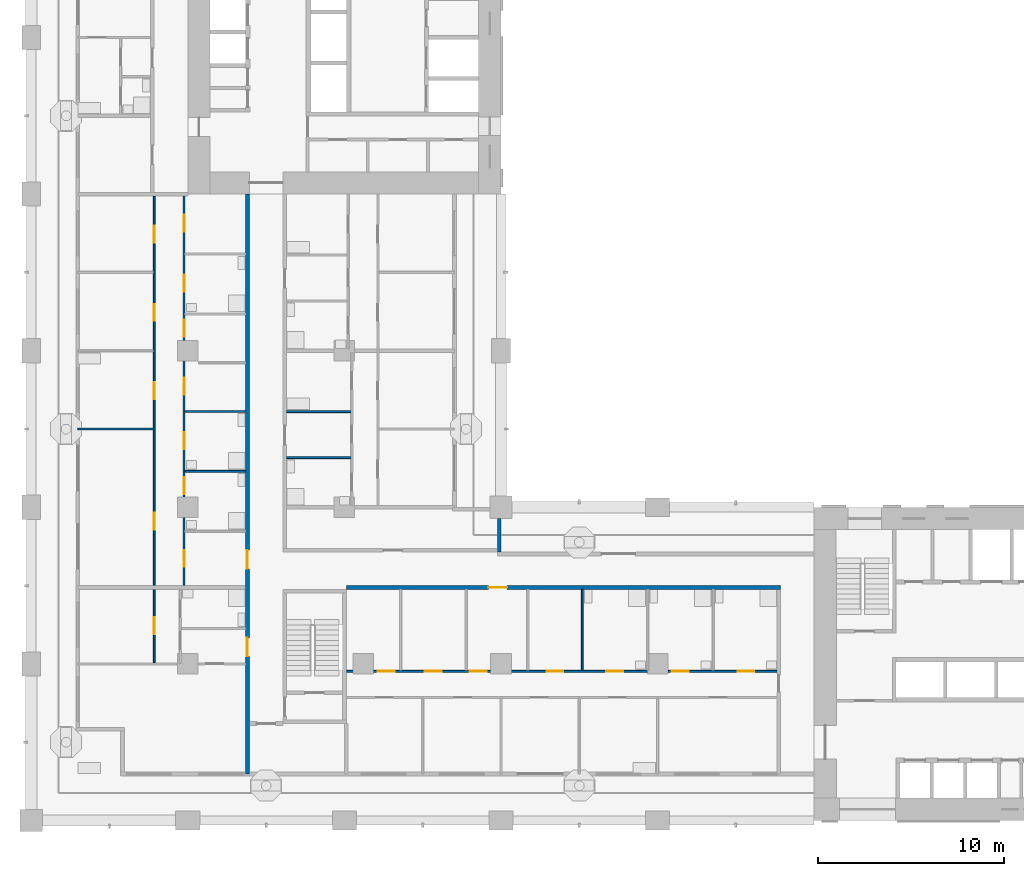
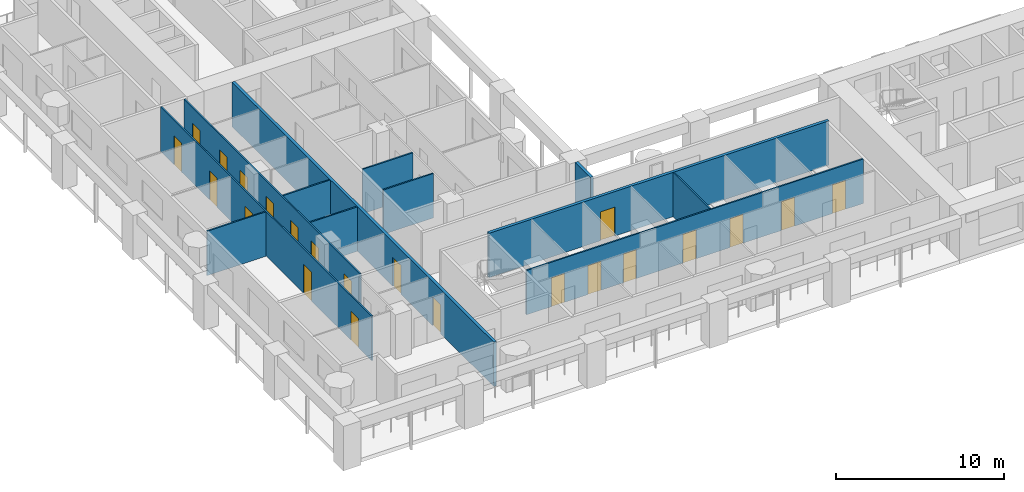
# One storey, part 3 of 19: 22 doors, 12 walls, 22 openings.
"""IFC4 building model written with IfcOpenShell, lengths in metres."""

import ifcopenshell
import ifcopenshell.guid

model = None  # the IFC model being written
_history = None  # IfcOwnerHistory: only IFC2X3 demands one
_inside = {}  # id of a spatial element -> (the spatial element, [elements in it])
_under = {}  # id of a project, library or spatial element -> (it, [spatial elements below it])
_declared = {}  # id of a project -> (the project, [libraries it declares])
_typed = {}  # id of a type object -> (the type object, [elements of that type])
_made_of = {}  # id of a material, layer set ... -> (it, [elements and type objects made of it])


def new_model(schema):
    """Start an empty IFC model of exactly this schema.

    Asked for "IFC4X3", IfcOpenShell would pick the latest addendum, in which some entities
    have other attributes; the version numbers below select the first issue.
    IFC2X3 requires an IfcOwnerHistory on every rooted entity: one is made here for all.
    """
    global model, _history
    if schema == "IFC4X3":
        model = ifcopenshell.file(schema_version=(4, 3, 0, 0))
    else:
        model = ifcopenshell.file(schema=schema)
    _inside.clear()
    _under.clear()
    _declared.clear()
    _typed.clear()
    _made_of.clear()
    _history = None
    if model.schema == "IFC2X3":
        org = make("IfcOrganization", Name="unknown")
        user = make(
            "IfcPersonAndOrganization",
            ThePerson=make("IfcPerson", FamilyName="unknown"),
            TheOrganization=org,
        )
        app = make(
            "IfcApplication",
            ApplicationDeveloper=org,
            Version="unknown",
            ApplicationFullName="unknown",
            ApplicationIdentifier="unknown",
        )
        _history = make(
            "IfcOwnerHistory",
            OwningUser=user,
            OwningApplication=app,
            ChangeAction="ADDED",
            CreationDate=0,
        )
    return model


def make(cls, **values):
    """One entity of the class cls with the attributes given. An attribute that is None is left unset."""
    return model.create_entity(
        cls, **{name: value for name, value in values.items() if value is not None}
    )


def rooted(cls, **values):
    """An entity with a GlobalId (a new one), such as an element, a storey or a relation."""
    return make(cls, GlobalId=ifcopenshell.guid.new(), OwnerHistory=_history, **values)


def si_unit(unit_type, name, prefix=None):
    """IfcSIUnit, for example si_unit("LENGTHUNIT", "METRE", prefix="MILLI")."""
    return make("IfcSIUnit", UnitType=unit_type, Prefix=prefix, Name=name)


def assignment(units):
    """IfcUnitAssignment: the units of a project."""
    return None if units is None else make("IfcUnitAssignment", Units=units)


def point(xyz):
    """IfcCartesianPoint."""
    return None if xyz is None else make("IfcCartesianPoint", Coordinates=xyz)


def direction(xyz):
    """IfcDirection."""
    return None if xyz is None else make("IfcDirection", DirectionRatios=xyz)


def frame(location, z_axis=None, x_axis=None):
    """IfcAxis2Placement3D, a coordinate frame: its origin and axes. An axis left out is left unset."""
    return make(
        "IfcAxis2Placement3D",
        Location=point(location),
        Axis=direction(z_axis),
        RefDirection=direction(x_axis),
    )


def frame_2d(location, x_axis=None):
    """IfcAxis2Placement2D, a coordinate frame in the plane: its origin and x axis."""
    return make(
        "IfcAxis2Placement2D", Location=point(location), RefDirection=direction(x_axis)
    )


def origin():
    """The frame at (0, 0, 0) with its axes left unset."""
    return frame((0.0, 0.0, 0.0))


def place(relative_to, where):
    """IfcLocalPlacement: puts the frame where relative to a parent placement (None: the world)."""
    return make(
        "IfcLocalPlacement", PlacementRelTo=relative_to, RelativePlacement=where
    )


def context(
    kind, dimensions, precision=None, world=None, true_north=None, identifier=None
):
    """IfcGeometricRepresentationContext, for example the 3D "Model" context."""
    return make(
        "IfcGeometricRepresentationContext",
        ContextIdentifier=identifier,
        ContextType=kind,
        CoordinateSpaceDimension=dimensions,
        Precision=precision,
        WorldCoordinateSystem=world,
        TrueNorth=true_north,
    )


def subcontext(parent, identifier, kind, view, scale=None):
    """IfcGeometricRepresentationSubContext, for example "Body" below "Model"."""
    return make(
        "IfcGeometricRepresentationSubContext",
        ContextIdentifier=identifier,
        ContextType=kind,
        ParentContext=parent,
        TargetScale=scale,
        TargetView=view,
    )


def project(units=None, contexts=None):
    """IfcProject with its units and contexts."""
    return rooted(
        "IfcProject",
        Name="project",
        RepresentationContexts=contexts,
        UnitsInContext=assignment(units),
    )


def spatial(cls, under=None, at=None, **own):
    """A site, building, storey or space (cls), placed at a placement, below another one or the project."""
    s = rooted(cls, ObjectPlacement=at, **own)
    if under is not None:
        _under.setdefault(under.id(), (under, []))[1].append(s)
    return s


def profile(cls, at=None, kind="AREA", **sizes):
    """A parametric profile (cls). Its sizes go by their IFC names, for example OverallWidth=200.0."""
    return make(cls, ProfileType=kind, Position=at, **sizes)


def rectangle(**sizes):
    """IfcRectangleProfileDef."""
    return profile("IfcRectangleProfileDef", **sizes)


def extrude(swept, where, along, depth):
    """IfcExtrudedAreaSolid: the profile swept, set in the frame where, extruded along a direction by depth."""
    return make(
        "IfcExtrudedAreaSolid",
        SweptArea=swept,
        Position=where,
        ExtrudedDirection=direction(along),
        Depth=depth,
    )


def shape(context_of_items, identifier, shape_type, items):
    """IfcShapeRepresentation: the items that make up one representation, for example the "Body"."""
    return make(
        "IfcShapeRepresentation",
        ContextOfItems=context_of_items,
        RepresentationIdentifier=identifier,
        RepresentationType=shape_type,
        Items=items,
    )


def material(Name=None, Category=None):
    """IfcMaterial."""
    return make("IfcMaterial", Name=Name, Category=Category)


def layer(
    of_material, thickness, ventilated=None, Name=None, Category=None, Priority=None
):
    """IfcMaterialLayer: one layer of a wall or slab, of a material (None: an air gap)."""
    return make(
        "IfcMaterialLayer",
        Material=of_material,
        LayerThickness=thickness,
        IsVentilated=ventilated,
        Name=Name,
        Category=Category,
        Priority=Priority,
    )


def layer_set(layers, Name=None):
    """IfcMaterialLayerSet."""
    return make("IfcMaterialLayerSet", MaterialLayers=layers, LayerSetName=Name)


def made_of(thing, what):
    """Note that an element or type object is made of a material, layer set ...; save() writes the relation."""
    if what is not None:
        _made_of.setdefault(what.id(), (what, []))[1].append(thing)
    return thing


def type_object(cls, material=None, **own):
    """A type object (cls), such as IfcWallType, which elements share."""
    return made_of(rooted(cls, **own), material)


def element(
    cls,
    number,
    at=None,
    inside=None,
    cuts=None,
    type_object=None,
    material=None,
    context=None,
    identifier="Body",
    shape_type=None,
    held_by="IfcProductDefinitionShape",
    body=None,
    shapes=None,
    **own,
):
    """One element of the class cls, such as IfcWall. Its Tag is "e" and its number.

    at: its placement. inside: the storey or other place that contains it. cuts: it is an
    opening in that element (IfcRelVoidsElement). A single representation is given by context,
    identifier, shape_type and body (its items); several are given by shapes. held_by: the class
    of the entity that holds the representations. save() writes the other relations.
    """
    e = rooted(cls, Tag="e%d" % number, ObjectPlacement=at, **own)
    if body is not None:
        shapes = [shape(context, identifier, shape_type, body)]
    if shapes is not None:
        e.Representation = make(held_by, Representations=shapes)
    if inside is not None:
        _inside.setdefault(inside.id(), (inside, []))[1].append(e)
    if cuts is not None:
        rooted(
            "IfcRelVoidsElement", RelatingBuildingElement=cuts, RelatedOpeningElement=e
        )
    if type_object is not None:
        _typed.setdefault(type_object.id(), (type_object, []))[1].append(e)
    return made_of(e, material)


def fill(opening, filler):
    """IfcRelFillsElement: the door or window that sits in an opening."""
    return rooted(
        "IfcRelFillsElement",
        RelatingOpeningElement=opening,
        RelatedBuildingElement=filler,
    )


def aggregate(whole, parts):
    """IfcRelAggregates: a whole, such as a stair, and the parts it consists of."""
    return rooted("IfcRelAggregates", RelatingObject=whole, RelatedObjects=parts)


def save(model, path):
    """Write the relations noted so far, then the file.

    IfcRelAggregates (storeys below a building ...), IfcRelContainedInSpatialStructure (elements
    in a storey), IfcRelDefinesByType, IfcRelAssociatesMaterial and IfcRelDeclares: one each for
    every whole, place, type object, material and project.
    """
    for whole, parts in _under.values():
        aggregate(whole, parts)
    for where, things in _inside.values():
        rooted(
            "IfcRelContainedInSpatialStructure",
            RelatedElements=things,
            RelatingStructure=where,
        )
    for kind, things in _typed.values():
        rooted("IfcRelDefinesByType", RelatedObjects=things, RelatingType=kind)
    for what, things in _made_of.values():
        rooted("IfcRelAssociatesMaterial", RelatedObjects=things, RelatingMaterial=what)
    for by, libraries in _declared.values():
        rooted("IfcRelDeclares", RelatingContext=by, RelatedDefinitions=libraries)
    model.write(path)


model = new_model("IFC4")

# Units and contexts
model_context = context("Model", 3, precision=1e-05, world=origin(), true_north=direction((0.0, 1.0)))
body_context = subcontext(model_context, "Body", "Model", "MODEL_VIEW")
ifc_project = project(units=[si_unit("LENGTHUNIT", "METRE"), si_unit("AREAUNIT", "SQUARE_METRE"), si_unit("VOLUMEUNIT", "CUBIC_METRE"), si_unit("PLANEANGLEUNIT", "RADIAN"), si_unit("MASSUNIT", "GRAM", prefix="KILO")], contexts=[model_context])

# Site, building, storey
site_placement = place(None, origin())
site = spatial("IfcSite", under=ifc_project, at=site_placement, CompositionType="ELEMENT")
building_placement = place(site_placement, origin())
building = spatial("IfcBuilding", under=site, at=building_placement, Name="Vermilion Gate Residences", CompositionType="ELEMENT")
storey_placement = place(building_placement, frame((0.0, 0.0, 119.699951171875)))
storey = spatial("IfcBuildingStorey", under=building, at=storey_placement, Name="L30", CompositionType="ELEMENT", Elevation=119.699951171875)

# Wall
ifc_material_1 = material(Name="Insulated steel stud wall with terracotta rainscreen", Category="masonry")
ifc_layer_1 = layer(ifc_material_1, 0.199951171875)
ifc_layer_set_1 = layer_set([ifc_layer_1], Name="EXTERNAL WALL 200 TERRACOTTA RAINSCREEN")
wall_type_1 = type_object("IfcWallType", Name="EXTERNAL WALL 200 TERRACOTTA RAINSCREEN", PredefinedType="SOLIDWALL", material=ifc_layer_set_1)
wall_1_placement = place(storey_placement, frame((25.10009765625, 22.800048828125, 0.0), z_axis=(0.0, 0.0, 1.0), x_axis=(0.0, 1.0, 0.0)))
element("IfcWall", 1, at=wall_1_placement, inside=storey, type_object=wall_type_1, Name="External wall", PredefinedType="SOLIDWALL", context=body_context, shape_type="SweptSolid", body=[
    extrude(rectangle(XDim=1.800048828125, YDim=0.199951171875, at=frame_2d((0.89990234375, 0.0))), origin(), (0.0, 0.0, 1.0), 3.219970703125),
])

# Wall, openings, doors
ifc_material_2 = material(Name="Plasterboard on steel studs", Category="steel")
ifc_layer_2 = layer(ifc_material_2, 0.10009765625)
ifc_layer_set_2 = layer_set([ifc_layer_2], Name="PARTITION 100")
wall_type_2 = type_object("IfcWallType", Name="PARTITION 100", PredefinedType="PARTITIONING", material=ifc_layer_set_2)
wall_2_placement = place(storey_placement, frame((16.89990234375, 16.39990234375, 0.0), z_axis=(0.0, 0.0, 1.0), x_axis=(1.0, 0.0, 0.0)))
wall_2 = element("IfcWall", 2, at=wall_2_placement, inside=storey, type_object=wall_type_2, Name="Partition", PredefinedType="PARTITIONING", context=body_context, shape_type="SweptSolid", body=[
    extrude(rectangle(XDim=23.10009765625, YDim=0.10009765625, at=frame_2d((11.550048828125, 0.0))), origin(), (0.0, 0.0, 1.0), 3.219970703125),
])
opening_1_placement = place(wall_2_placement, frame((6.62890625, 0.0, 0.0)))
opening_1 = element("IfcOpeningElement", 3, at=opening_1_placement, cuts=wall_2, Name="Opening DA30007", PredefinedType="OPENING", context=body_context, shape_type="SweptSolid", body=[
    extrude(rectangle(XDim=0.89990234375, YDim=2.10009765625, at=frame_2d((0.449951171875, 1.050048828125))), frame((0.0, 0.06005859375, 0.0), z_axis=(0.0, -1.0, 0.0), x_axis=(1.0, 0.0, 0.0)), (0.0, 0.0, 1.0), 0.1201171875),
])
opening_2_placement = place(wall_2_placement, frame((1.699951171875, 0.0, 0.0)))
opening_2 = element("IfcOpeningElement", 4, at=opening_2_placement, cuts=wall_2, Name="Opening DA30008", PredefinedType="OPENING", context=body_context, shape_type="SweptSolid", body=[
    extrude(rectangle(XDim=0.89990234375, YDim=2.10009765625, at=frame_2d((0.449951171875, 1.050048828125))), frame((0.0, 0.06005859375, 0.0), z_axis=(0.0, -1.0, 0.0), x_axis=(1.0, 0.0, 0.0)), (0.0, 0.0, 1.0), 0.1201171875),
])
opening_3_placement = place(wall_2_placement, frame((4.214111328125, 0.0, 0.0)))
opening_3 = element("IfcOpeningElement", 5, at=opening_3_placement, cuts=wall_2, Name="Opening DA30009", PredefinedType="OPENING", context=body_context, shape_type="SweptSolid", body=[
    extrude(rectangle(XDim=0.89990234375, YDim=2.10009765625, at=frame_2d((0.449951171875, 1.050048828125))), frame((0.0, 0.06005859375, 0.0), z_axis=(0.0, -1.0, 0.0), x_axis=(1.0, 0.0, 0.0)), (0.0, 0.0, 1.0), 0.1201171875),
])
opening_4_placement = place(wall_2_placement, frame((10.742919921875, 0.0, 0.0)))
opening_4 = element("IfcOpeningElement", 6, at=opening_4_placement, cuts=wall_2, Name="Opening DA30010", PredefinedType="OPENING", context=body_context, shape_type="SweptSolid", body=[
    extrude(rectangle(XDim=0.89990234375, YDim=2.10009765625, at=frame_2d((0.449951171875, 1.050048828125))), frame((0.0, 0.06005859375, 0.0), z_axis=(0.0, -1.0, 0.0), x_axis=(1.0, 0.0, 0.0)), (0.0, 0.0, 1.0), 0.1201171875),
])
opening_5_placement = place(wall_2_placement, frame((13.95703125, 0.0, 0.0)))
opening_5 = element("IfcOpeningElement", 7, at=opening_5_placement, cuts=wall_2, Name="Opening DA30011", PredefinedType="OPENING", context=body_context, shape_type="SweptSolid", body=[
    extrude(rectangle(XDim=0.89990234375, YDim=2.10009765625, at=frame_2d((0.449951171875, 1.050048828125))), frame((0.0, 0.06005859375, 0.0), z_axis=(0.0, -1.0, 0.0), x_axis=(1.0, 0.0, 0.0)), (0.0, 0.0, 1.0), 0.1201171875),
])
opening_6_placement = place(wall_2_placement, frame((17.471923828125, 0.0, 0.0)))
opening_6 = element("IfcOpeningElement", 8, at=opening_6_placement, cuts=wall_2, Name="Opening DA30012", PredefinedType="OPENING", context=body_context, shape_type="SweptSolid", body=[
    extrude(rectangle(XDim=0.89990234375, YDim=2.10009765625, at=frame_2d((0.449951171875, 1.050048828125))), frame((0.0, 0.06005859375, 0.0), z_axis=(0.0, -1.0, 0.0), x_axis=(1.0, 0.0, 0.0)), (0.0, 0.0, 1.0), 0.1201171875),
])
opening_7_placement = place(wall_2_placement, frame((20.986083984375, 0.0, 0.0)))
opening_7 = element("IfcOpeningElement", 9, at=opening_7_placement, cuts=wall_2, Name="Opening DA30013", PredefinedType="OPENING", context=body_context, shape_type="SweptSolid", body=[
    extrude(rectangle(XDim=0.89990234375, YDim=2.10009765625, at=frame_2d((0.449951171875, 1.050048828125))), frame((0.0, 0.06005859375, 0.0), z_axis=(0.0, -1.0, 0.0), x_axis=(1.0, 0.0, 0.0)), (0.0, 0.0, 1.0), 0.1201171875),
])
ifc_material_3 = material(Name="Timber", Category="wood")
door_type_1 = type_object("IfcDoorType", Name="INTERIOR DOOR 900 X 2100", OperationType="SINGLE_SWING_LEFT", PredefinedType="DOOR", material=ifc_material_3)
door_1_placement = place(opening_1_placement, origin())
door_1 = element("IfcDoor", 10, at=door_1_placement, inside=storey, type_object=door_type_1, Name="Interior door", OperationType="SINGLE_SWING_LEFT", OverallHeight=2.10009765625, OverallWidth=0.89990234375, PredefinedType="DOOR", context=body_context, shape_type="SweptSolid", body=[
    extrude(rectangle(XDim=0.89990234375, YDim=2.10009765625, at=frame_2d((0.449951171875, 1.050048828125))), frame((0.0, 0.02490234375, 0.0), z_axis=(0.0, -1.0, 0.0), x_axis=(1.0, 0.0, 0.0)), (0.0, 0.0, 1.0), 0.050048828125),
])
fill(opening_1, door_1)
door_2_placement = place(opening_2_placement, origin())
door_2 = element("IfcDoor", 11, at=door_2_placement, inside=storey, type_object=door_type_1, Name="Interior door", OperationType="SINGLE_SWING_LEFT", OverallHeight=2.10009765625, OverallWidth=0.89990234375, PredefinedType="DOOR", context=body_context, shape_type="SweptSolid", body=[
    extrude(rectangle(XDim=0.89990234375, YDim=2.10009765625, at=frame_2d((0.449951171875, 1.050048828125))), frame((0.0, 0.02490234375, 0.0), z_axis=(0.0, -1.0, 0.0), x_axis=(1.0, 0.0, 0.0)), (0.0, 0.0, 1.0), 0.050048828125),
])
fill(opening_2, door_2)
door_3_placement = place(opening_3_placement, origin())
door_3 = element("IfcDoor", 12, at=door_3_placement, inside=storey, type_object=door_type_1, Name="Interior door", OperationType="SINGLE_SWING_LEFT", OverallHeight=2.10009765625, OverallWidth=0.89990234375, PredefinedType="DOOR", context=body_context, shape_type="SweptSolid", body=[
    extrude(rectangle(XDim=0.89990234375, YDim=2.10009765625, at=frame_2d((0.449951171875, 1.050048828125))), frame((0.0, 0.02490234375, 0.0), z_axis=(0.0, -1.0, 0.0), x_axis=(1.0, 0.0, 0.0)), (0.0, 0.0, 1.0), 0.050048828125),
])
fill(opening_3, door_3)
door_4_placement = place(opening_4_placement, origin())
door_4 = element("IfcDoor", 13, at=door_4_placement, inside=storey, type_object=door_type_1, Name="Interior door", OperationType="SINGLE_SWING_LEFT", OverallHeight=2.10009765625, OverallWidth=0.89990234375, PredefinedType="DOOR", context=body_context, shape_type="SweptSolid", body=[
    extrude(rectangle(XDim=0.89990234375, YDim=2.10009765625, at=frame_2d((0.449951171875, 1.050048828125))), frame((0.0, 0.02490234375, 0.0), z_axis=(0.0, -1.0, 0.0), x_axis=(1.0, 0.0, 0.0)), (0.0, 0.0, 1.0), 0.050048828125),
])
fill(opening_4, door_4)
door_5_placement = place(opening_5_placement, origin())
door_5 = element("IfcDoor", 14, at=door_5_placement, inside=storey, type_object=door_type_1, Name="Interior door", OperationType="SINGLE_SWING_RIGHT", OverallHeight=2.10009765625, OverallWidth=0.89990234375, PredefinedType="DOOR", context=body_context, shape_type="SweptSolid", body=[
    extrude(rectangle(XDim=0.89990234375, YDim=2.10009765625, at=frame_2d((0.449951171875, 1.050048828125))), frame((0.0, 0.02490234375, 0.0), z_axis=(0.0, -1.0, 0.0), x_axis=(1.0, 0.0, 0.0)), (0.0, 0.0, 1.0), 0.050048828125),
])
fill(opening_5, door_5)
door_6_placement = place(opening_6_placement, origin())
door_6 = element("IfcDoor", 15, at=door_6_placement, inside=storey, type_object=door_type_1, Name="Interior door", OperationType="SINGLE_SWING_LEFT", OverallHeight=2.10009765625, OverallWidth=0.89990234375, PredefinedType="DOOR", context=body_context, shape_type="SweptSolid", body=[
    extrude(rectangle(XDim=0.89990234375, YDim=2.10009765625, at=frame_2d((0.449951171875, 1.050048828125))), frame((0.0, 0.02490234375, 0.0), z_axis=(0.0, -1.0, 0.0), x_axis=(1.0, 0.0, 0.0)), (0.0, 0.0, 1.0), 0.050048828125),
])
fill(opening_6, door_6)
door_7_placement = place(opening_7_placement, origin())
door_7 = element("IfcDoor", 16, at=door_7_placement, inside=storey, type_object=door_type_1, Name="Interior door", OperationType="SINGLE_SWING_RIGHT", OverallHeight=2.10009765625, OverallWidth=0.89990234375, PredefinedType="DOOR", context=body_context, shape_type="SweptSolid", body=[
    extrude(rectangle(XDim=0.89990234375, YDim=2.10009765625, at=frame_2d((0.449951171875, 1.050048828125))), frame((0.0, 0.02490234375, 0.0), z_axis=(0.0, -1.0, 0.0), x_axis=(1.0, 0.0, 0.0)), (0.0, 0.0, 1.0), 0.050048828125),
])
fill(opening_7, door_7)

# Walls
wall_3_placement = place(storey_placement, frame((8.25, 27.12890625, 0.0), z_axis=(0.0, 0.0, 1.0), x_axis=(1.0, 0.0, 0.0)))
element("IfcWall", 17, at=wall_3_placement, inside=storey, type_object=wall_type_2, Name="Partition", PredefinedType="PARTITIONING", context=body_context, shape_type="SweptSolid", body=[
    extrude(rectangle(XDim=3.25, YDim=0.10009765625, at=frame_2d((1.625, 0.0))), origin(), (0.0, 0.0, 1.0), 3.219970703125),
])
wall_4_placement = place(storey_placement, frame((13.699951171875, 27.866943359375, 0.0), z_axis=(0.0, 0.0, 1.0), x_axis=(1.0, 0.0, 0.0)))
element("IfcWall", 18, at=wall_4_placement, inside=storey, type_object=wall_type_2, Name="Partition", PredefinedType="PARTITIONING", context=body_context, shape_type="SweptSolid", body=[
    extrude(rectangle(XDim=3.449951171875, YDim=0.10009765625, at=frame_2d((1.72509765625, 0.0))), origin(), (0.0, 0.0, 1.0), 3.219970703125),
])
wall_5_placement = place(storey_placement, frame((2.5, 29.39990234375, 0.0), z_axis=(0.0, 0.0, 1.0), x_axis=(1.0, 0.0, 0.0)))
element("IfcWall", 19, at=wall_5_placement, inside=storey, type_object=wall_type_2, Name="Partition", PredefinedType="PARTITIONING", context=body_context, shape_type="SweptSolid", body=[
    extrude(rectangle(XDim=4.050048828125, YDim=0.10009765625, at=frame_2d((2.02490234375, 0.0))), origin(), (0.0, 0.0, 1.0), 3.219970703125),
])
wall_6_placement = place(storey_placement, frame((13.699951171875, 30.3330078125, 0.0), z_axis=(0.0, 0.0, 1.0), x_axis=(1.0, 0.0, 0.0)))
element("IfcWall", 20, at=wall_6_placement, inside=storey, type_object=wall_type_2, Name="Partition", PredefinedType="PARTITIONING", context=body_context, shape_type="SweptSolid", body=[
    extrude(rectangle(XDim=3.449951171875, YDim=0.10009765625, at=frame_2d((1.72509765625, 0.0))), origin(), (0.0, 0.0, 1.0), 3.219970703125),
])
wall_7_placement = place(storey_placement, frame((8.25, 30.343017578125, 0.0), z_axis=(0.0, 0.0, 1.0), x_axis=(1.0, 0.0, 0.0)))
element("IfcWall", 21, at=wall_7_placement, inside=storey, type_object=wall_type_2, Name="Partition", PredefinedType="PARTITIONING", context=body_context, shape_type="SweptSolid", body=[
    extrude(rectangle(XDim=3.25, YDim=0.10009765625, at=frame_2d((1.625, 0.0))), origin(), (0.0, 0.0, 1.0), 3.219970703125),
])

# Wall, openings, doors
wall_8_placement = place(storey_placement, frame((6.60009765625, 16.85009765625, 0.0), z_axis=(0.0, 0.0, 1.0), x_axis=(0.0, 1.0, 0.0)))
wall_8 = element("IfcWall", 22, at=wall_8_placement, inside=storey, type_object=wall_type_2, Name="Partition", PredefinedType="PARTITIONING", context=body_context, shape_type="SweptSolid", body=[
    extrude(rectangle(XDim=25.0498046875, YDim=0.10009765625, at=frame_2d((12.52490234375, 0.0))), origin(), (0.0, 0.0, 1.0), 3.219970703125),
])
opening_8_placement = place(wall_8_placement, frame((1.550048828125, 0.0, 0.0)))
opening_8 = element("IfcOpeningElement", 23, at=opening_8_placement, cuts=wall_8, Name="Opening DA30022", PredefinedType="OPENING", context=body_context, shape_type="SweptSolid", body=[
    extrude(rectangle(XDim=0.89990234375, YDim=2.10009765625, at=frame_2d((0.449951171875, 1.050048828125))), frame((0.0, 0.06005859375, 0.0), z_axis=(0.0, -1.0, 0.0), x_axis=(1.0, 0.0, 0.0)), (0.0, 0.0, 1.0), 0.1201171875),
])
opening_9_placement = place(wall_8_placement, frame((7.14990234375, 0.0, 0.0)))
opening_9 = element("IfcOpeningElement", 24, at=opening_9_placement, cuts=wall_8, Name="Opening DA30023", PredefinedType="OPENING", context=body_context, shape_type="SweptSolid", body=[
    extrude(rectangle(XDim=0.89990234375, YDim=2.10009765625, at=frame_2d((0.449951171875, 1.050048828125))), frame((0.0, 0.06005859375, 0.0), z_axis=(0.0, -1.0, 0.0), x_axis=(1.0, 0.0, 0.0)), (0.0, 0.0, 1.0), 0.1201171875),
])
opening_10_placement = place(wall_8_placement, frame((14.14990234375, 0.0, 0.0)))
opening_10 = element("IfcOpeningElement", 25, at=opening_10_placement, cuts=wall_8, Name="Opening DA30024", PredefinedType="OPENING", context=body_context, shape_type="SweptSolid", body=[
    extrude(rectangle(XDim=0.89990234375, YDim=2.10009765625, at=frame_2d((0.449951171875, 1.050048828125))), frame((0.0, 0.06005859375, 0.0), z_axis=(0.0, -1.0, 0.0), x_axis=(1.0, 0.0, 0.0)), (0.0, 0.0, 1.0), 0.1201171875),
])
opening_11_placement = place(wall_8_placement, frame((18.35009765625, 0.0, 0.0)))
opening_11 = element("IfcOpeningElement", 26, at=opening_11_placement, cuts=wall_8, Name="Opening DA30025", PredefinedType="OPENING", context=body_context, shape_type="SweptSolid", body=[
    extrude(rectangle(XDim=0.89990234375, YDim=2.10009765625, at=frame_2d((0.449951171875, 1.050048828125))), frame((0.0, 0.06005859375, 0.0), z_axis=(0.0, -1.0, 0.0), x_axis=(1.0, 0.0, 0.0)), (0.0, 0.0, 1.0), 0.1201171875),
])
opening_12_placement = place(wall_8_placement, frame((22.550048828125, 0.0, 0.0)))
opening_12 = element("IfcOpeningElement", 27, at=opening_12_placement, cuts=wall_8, Name="Opening DA30026", PredefinedType="OPENING", context=body_context, shape_type="SweptSolid", body=[
    extrude(rectangle(XDim=0.89990234375, YDim=2.10009765625, at=frame_2d((0.449951171875, 1.050048828125))), frame((0.0, 0.06005859375, 0.0), z_axis=(0.0, -1.0, 0.0), x_axis=(1.0, 0.0, 0.0)), (0.0, 0.0, 1.0), 0.1201171875),
])
door_8_placement = place(opening_8_placement, origin())
door_8 = element("IfcDoor", 28, at=door_8_placement, inside=storey, type_object=door_type_1, Name="Interior door", OperationType="SINGLE_SWING_RIGHT", OverallHeight=2.10009765625, OverallWidth=0.89990234375, PredefinedType="DOOR", context=body_context, shape_type="SweptSolid", body=[
    extrude(rectangle(XDim=0.89990234375, YDim=2.10009765625, at=frame_2d((0.449951171875, 1.050048828125))), frame((0.0, 0.02490234375, 0.0), z_axis=(0.0, -1.0, 0.0), x_axis=(1.0, 0.0, 0.0)), (0.0, 0.0, 1.0), 0.050048828125),
])
fill(opening_8, door_8)
door_9_placement = place(opening_9_placement, origin())
door_9 = element("IfcDoor", 29, at=door_9_placement, inside=storey, type_object=door_type_1, Name="Interior door", OperationType="SINGLE_SWING_LEFT", OverallHeight=2.10009765625, OverallWidth=0.89990234375, PredefinedType="DOOR", context=body_context, shape_type="SweptSolid", body=[
    extrude(rectangle(XDim=0.89990234375, YDim=2.10009765625, at=frame_2d((0.449951171875, 1.050048828125))), frame((0.0, 0.02490234375, 0.0), z_axis=(0.0, -1.0, 0.0), x_axis=(1.0, 0.0, 0.0)), (0.0, 0.0, 1.0), 0.050048828125),
])
fill(opening_9, door_9)
door_10_placement = place(opening_10_placement, origin())
door_10 = element("IfcDoor", 30, at=door_10_placement, inside=storey, type_object=door_type_1, Name="Interior door", OperationType="SINGLE_SWING_LEFT", OverallHeight=2.10009765625, OverallWidth=0.89990234375, PredefinedType="DOOR", context=body_context, shape_type="SweptSolid", body=[
    extrude(rectangle(XDim=0.89990234375, YDim=2.10009765625, at=frame_2d((0.449951171875, 1.050048828125))), frame((0.0, 0.02490234375, 0.0), z_axis=(0.0, -1.0, 0.0), x_axis=(1.0, 0.0, 0.0)), (0.0, 0.0, 1.0), 0.050048828125),
])
fill(opening_10, door_10)
door_11_placement = place(opening_11_placement, origin())
door_11 = element("IfcDoor", 31, at=door_11_placement, inside=storey, type_object=door_type_1, Name="Interior door", OperationType="SINGLE_SWING_LEFT", OverallHeight=2.10009765625, OverallWidth=0.89990234375, PredefinedType="DOOR", context=body_context, shape_type="SweptSolid", body=[
    extrude(rectangle(XDim=0.89990234375, YDim=2.10009765625, at=frame_2d((0.449951171875, 1.050048828125))), frame((0.0, 0.02490234375, 0.0), z_axis=(0.0, -1.0, 0.0), x_axis=(1.0, 0.0, 0.0)), (0.0, 0.0, 1.0), 0.050048828125),
])
fill(opening_11, door_11)
door_12_placement = place(opening_12_placement, origin())
door_12 = element("IfcDoor", 32, at=door_12_placement, inside=storey, type_object=door_type_1, Name="Interior door", OperationType="SINGLE_SWING_LEFT", OverallHeight=2.10009765625, OverallWidth=0.89990234375, PredefinedType="DOOR", context=body_context, shape_type="SweptSolid", body=[
    extrude(rectangle(XDim=0.89990234375, YDim=2.10009765625, at=frame_2d((0.449951171875, 1.050048828125))), frame((0.0, 0.02490234375, 0.0), z_axis=(0.0, -1.0, 0.0), x_axis=(1.0, 0.0, 0.0)), (0.0, 0.0, 1.0), 0.050048828125),
])
fill(opening_12, door_12)

wall_9_placement = place(storey_placement, frame((8.199951171875, 21.0, 0.0), z_axis=(0.0, 0.0, 1.0), x_axis=(0.0, 1.0, 0.0)))
wall_9 = element("IfcWall", 33, at=wall_9_placement, inside=storey, type_object=wall_type_2, Name="Partition", PredefinedType="PARTITIONING", context=body_context, shape_type="SweptSolid", body=[
    extrude(rectangle(XDim=20.89990234375, YDim=0.10009765625, at=frame_2d((10.449951171875, 0.0))), origin(), (0.0, 0.0, 1.0), 3.219970703125),
])
opening_13_placement = place(wall_9_placement, frame((1.0, 0.0, 0.0)))
opening_13 = element("IfcOpeningElement", 34, at=opening_13_placement, cuts=wall_9, Name="Opening DA30029", PredefinedType="OPENING", context=body_context, shape_type="SweptSolid", body=[
    extrude(rectangle(XDim=0.89990234375, YDim=2.10009765625, at=frame_2d((0.449951171875, 1.050048828125))), frame((0.0, 0.06005859375, 0.0), z_axis=(0.0, -1.0, 0.0), x_axis=(1.0, 0.0, 0.0)), (0.0, 0.0, 1.0), 0.1201171875),
])
opening_14_placement = place(wall_9_placement, frame((4.9140625, 0.0, 0.0)))
opening_14 = element("IfcOpeningElement", 35, at=opening_14_placement, cuts=wall_9, Name="Opening DA30030", PredefinedType="OPENING", context=body_context, shape_type="SweptSolid", body=[
    extrude(rectangle(XDim=0.89990234375, YDim=2.10009765625, at=frame_2d((0.449951171875, 1.050048828125))), frame((0.0, 0.06005859375, 0.0), z_axis=(0.0, -1.0, 0.0), x_axis=(1.0, 0.0, 0.0)), (0.0, 0.0, 1.0), 0.1201171875),
])
opening_15_placement = place(wall_9_placement, frame((7.3291015625, 0.0, 0.0)))
opening_15 = element("IfcOpeningElement", 36, at=opening_15_placement, cuts=wall_9, Name="Opening DA30031", PredefinedType="OPENING", context=body_context, shape_type="SweptSolid", body=[
    extrude(rectangle(XDim=0.89990234375, YDim=2.10009765625, at=frame_2d((0.449951171875, 1.050048828125))), frame((0.0, 0.06005859375, 0.0), z_axis=(0.0, -1.0, 0.0), x_axis=(1.0, 0.0, 0.0)), (0.0, 0.0, 1.0), 0.1201171875),
])
opening_16_placement = place(wall_9_placement, frame((10.242919921875, 0.0, 0.0)))
opening_16 = element("IfcOpeningElement", 37, at=opening_16_placement, cuts=wall_9, Name="Opening DA30032", PredefinedType="OPENING", context=body_context, shape_type="SweptSolid", body=[
    extrude(rectangle(XDim=0.89990234375, YDim=2.10009765625, at=frame_2d((0.449951171875, 1.050048828125))), frame((0.0, 0.06005859375, 0.0), z_axis=(0.0, -1.0, 0.0), x_axis=(1.0, 0.0, 0.0)), (0.0, 0.0, 1.0), 0.1201171875),
])
opening_17_placement = place(wall_9_placement, frame((13.35693359375, 0.0, 0.0)))
opening_17 = element("IfcOpeningElement", 38, at=opening_17_placement, cuts=wall_9, Name="Opening DA30033", PredefinedType="OPENING", context=body_context, shape_type="SweptSolid", body=[
    extrude(rectangle(XDim=0.89990234375, YDim=2.10009765625, at=frame_2d((0.449951171875, 1.050048828125))), frame((0.0, 0.06005859375, 0.0), z_axis=(0.0, -1.0, 0.0), x_axis=(1.0, 0.0, 0.0)), (0.0, 0.0, 1.0), 0.1201171875),
])
opening_18_placement = place(wall_9_placement, frame((15.77197265625, 0.0, 0.0)))
opening_18 = element("IfcOpeningElement", 39, at=opening_18_placement, cuts=wall_9, Name="Opening DA30034", PredefinedType="OPENING", context=body_context, shape_type="SweptSolid", body=[
    extrude(rectangle(XDim=0.89990234375, YDim=2.10009765625, at=frame_2d((0.449951171875, 1.050048828125))), frame((0.0, 0.06005859375, 0.0), z_axis=(0.0, -1.0, 0.0), x_axis=(1.0, 0.0, 0.0)), (0.0, 0.0, 1.0), 0.1201171875),
])
opening_19_placement = place(wall_9_placement, frame((18.986083984375, 0.0, 0.0)))
opening_19 = element("IfcOpeningElement", 40, at=opening_19_placement, cuts=wall_9, Name="Opening DA30035", PredefinedType="OPENING", context=body_context, shape_type="SweptSolid", body=[
    extrude(rectangle(XDim=0.89990234375, YDim=2.10009765625, at=frame_2d((0.449951171875, 1.050048828125))), frame((0.0, 0.06005859375, 0.0), z_axis=(0.0, -1.0, 0.0), x_axis=(1.0, 0.0, 0.0)), (0.0, 0.0, 1.0), 0.1201171875),
])
door_13_placement = place(opening_13_placement, frame((0.89990234375, 0.0, 0.0), z_axis=(0.0, 0.0, 1.0), x_axis=(-1.0, 0.0, 0.0)))
door_13 = element("IfcDoor", 41, at=door_13_placement, inside=storey, type_object=door_type_1, Name="Interior door", OperationType="SINGLE_SWING_LEFT", OverallHeight=2.10009765625, OverallWidth=0.89990234375, PredefinedType="DOOR", context=body_context, shape_type="SweptSolid", body=[
    extrude(rectangle(XDim=0.89990234375, YDim=2.10009765625, at=frame_2d((0.449951171875, 1.050048828125))), frame((0.0, 0.02490234375, 0.0), z_axis=(0.0, -1.0, 0.0), x_axis=(1.0, 0.0, 0.0)), (0.0, 0.0, 1.0), 0.050048828125),
])
fill(opening_13, door_13)
door_14_placement = place(opening_14_placement, frame((0.89990234375, 0.0, 0.0), z_axis=(0.0, 0.0, 1.0), x_axis=(-1.0, 0.0, 0.0)))
door_14 = element("IfcDoor", 42, at=door_14_placement, inside=storey, type_object=door_type_1, Name="Interior door", OperationType="SINGLE_SWING_RIGHT", OverallHeight=2.10009765625, OverallWidth=0.89990234375, PredefinedType="DOOR", context=body_context, shape_type="SweptSolid", body=[
    extrude(rectangle(XDim=0.89990234375, YDim=2.10009765625, at=frame_2d((0.449951171875, 1.050048828125))), frame((0.0, 0.02490234375, 0.0), z_axis=(0.0, -1.0, 0.0), x_axis=(1.0, 0.0, 0.0)), (0.0, 0.0, 1.0), 0.050048828125),
])
fill(opening_14, door_14)
door_15_placement = place(opening_15_placement, frame((0.89990234375, 0.0, 0.0), z_axis=(0.0, 0.0, 1.0), x_axis=(-1.0, 0.0, 0.0)))
door_15 = element("IfcDoor", 43, at=door_15_placement, inside=storey, type_object=door_type_1, Name="Interior door", OperationType="SINGLE_SWING_RIGHT", OverallHeight=2.10009765625, OverallWidth=0.89990234375, PredefinedType="DOOR", context=body_context, shape_type="SweptSolid", body=[
    extrude(rectangle(XDim=0.89990234375, YDim=2.10009765625, at=frame_2d((0.449951171875, 1.050048828125))), frame((0.0, 0.02490234375, 0.0), z_axis=(0.0, -1.0, 0.0), x_axis=(1.0, 0.0, 0.0)), (0.0, 0.0, 1.0), 0.050048828125),
])
fill(opening_15, door_15)
door_16_placement = place(opening_16_placement, frame((0.89990234375, 0.0, 0.0), z_axis=(0.0, 0.0, 1.0), x_axis=(-1.0, 0.0, 0.0)))
door_16 = element("IfcDoor", 44, at=door_16_placement, inside=storey, type_object=door_type_1, Name="Interior door", OperationType="SINGLE_SWING_RIGHT", OverallHeight=2.10009765625, OverallWidth=0.89990234375, PredefinedType="DOOR", context=body_context, shape_type="SweptSolid", body=[
    extrude(rectangle(XDim=0.89990234375, YDim=2.10009765625, at=frame_2d((0.449951171875, 1.050048828125))), frame((0.0, 0.02490234375, 0.0), z_axis=(0.0, -1.0, 0.0), x_axis=(1.0, 0.0, 0.0)), (0.0, 0.0, 1.0), 0.050048828125),
])
fill(opening_16, door_16)
door_17_placement = place(opening_17_placement, frame((0.89990234375, 0.0, 0.0), z_axis=(0.0, 0.0, 1.0), x_axis=(-1.0, 0.0, 0.0)))
door_17 = element("IfcDoor", 45, at=door_17_placement, inside=storey, type_object=door_type_1, Name="Interior door", OperationType="SINGLE_SWING_RIGHT", OverallHeight=2.10009765625, OverallWidth=0.89990234375, PredefinedType="DOOR", context=body_context, shape_type="SweptSolid", body=[
    extrude(rectangle(XDim=0.89990234375, YDim=2.10009765625, at=frame_2d((0.449951171875, 1.050048828125))), frame((0.0, 0.02490234375, 0.0), z_axis=(0.0, -1.0, 0.0), x_axis=(1.0, 0.0, 0.0)), (0.0, 0.0, 1.0), 0.050048828125),
])
fill(opening_17, door_17)
door_18_placement = place(opening_18_placement, frame((0.89990234375, 0.0, 0.0), z_axis=(0.0, 0.0, 1.0), x_axis=(-1.0, 0.0, 0.0)))
door_18 = element("IfcDoor", 46, at=door_18_placement, inside=storey, type_object=door_type_1, Name="Interior door", OperationType="SINGLE_SWING_RIGHT", OverallHeight=2.10009765625, OverallWidth=0.89990234375, PredefinedType="DOOR", context=body_context, shape_type="SweptSolid", body=[
    extrude(rectangle(XDim=0.89990234375, YDim=2.10009765625, at=frame_2d((0.449951171875, 1.050048828125))), frame((0.0, 0.02490234375, 0.0), z_axis=(0.0, -1.0, 0.0), x_axis=(1.0, 0.0, 0.0)), (0.0, 0.0, 1.0), 0.050048828125),
])
fill(opening_18, door_18)
door_19_placement = place(opening_19_placement, frame((0.89990234375, 0.0, 0.0), z_axis=(0.0, 0.0, 1.0), x_axis=(-1.0, 0.0, 0.0)))
door_19 = element("IfcDoor", 47, at=door_19_placement, inside=storey, type_object=door_type_1, Name="Interior door", OperationType="SINGLE_SWING_LEFT", OverallHeight=2.10009765625, OverallWidth=0.89990234375, PredefinedType="DOOR", context=body_context, shape_type="SweptSolid", body=[
    extrude(rectangle(XDim=0.89990234375, YDim=2.10009765625, at=frame_2d((0.449951171875, 1.050048828125))), frame((0.0, 0.02490234375, 0.0), z_axis=(0.0, -1.0, 0.0), x_axis=(1.0, 0.0, 0.0)), (0.0, 0.0, 1.0), 0.050048828125),
])
fill(opening_19, door_19)

# Wall
wall_10_placement = place(storey_placement, frame((29.556884765625, 16.449951171875, 0.0), z_axis=(0.0, 0.0, 1.0), x_axis=(0.0, 1.0, 0.0)))
element("IfcWall", 48, at=wall_10_placement, inside=storey, type_object=wall_type_2, Name="Partition", PredefinedType="PARTITIONING", context=body_context, shape_type="SweptSolid", body=[
    extrude(rectangle(XDim=4.35009765625, YDim=0.10009765625, at=frame_2d((2.175048828125, 0.0))), origin(), (0.0, 0.0, 1.0), 3.219970703125),
])

# Wall, opening, door
ifc_material_4 = material(Name="Fire-rated plasterboard on steel studs", Category="steel")
ifc_layer_3 = layer(ifc_material_4, 0.199951171875)
ifc_layer_set_3 = layer_set([ifc_layer_3], Name="PARTY WALL 200 EI 120")
wall_type_3 = type_object("IfcWallType", Name="PARTY WALL 200 EI 120", PredefinedType="PARTITIONING", material=ifc_layer_set_3)
wall_11_placement = place(storey_placement, frame((16.89990234375, 20.89990234375, 0.0), z_axis=(0.0, 0.0, 1.0), x_axis=(1.0, 0.0, 0.0)))
wall_11 = element("IfcWall", 49, at=wall_11_placement, inside=storey, type_object=wall_type_3, Name="Party and corridor wall", PredefinedType="PARTITIONING", context=body_context, shape_type="SweptSolid", body=[
    extrude(rectangle(XDim=23.300048828125, YDim=0.199951171875, at=frame_2d((11.64990234375, 0.0))), origin(), (0.0, 0.0, 1.0), 3.219970703125),
])
opening_20_placement = place(wall_11_placement, frame((7.62890625, 0.0, 0.0)))
opening_20 = element("IfcOpeningElement", 50, at=opening_20_placement, cuts=wall_11, Name="Opening DA30015", PredefinedType="OPENING", context=body_context, shape_type="SweptSolid", body=[
    extrude(rectangle(XDim=1.0, YDim=2.10009765625, at=frame_2d((0.5, 1.050048828125))), frame((0.0, 0.10986328125, 0.0), z_axis=(0.0, -1.0, 0.0), x_axis=(1.0, 0.0, 0.0)), (0.0, 0.0, 1.0), 0.219970703125),
])
ifc_material_5 = material(Name="Steel", Category="steel")
door_type_2 = type_object("IfcDoorType", Name="ENTRANCE DOOR 1000 X 2100 FD30", OperationType="SINGLE_SWING_LEFT", PredefinedType="DOOR", material=ifc_material_5)
door_20_placement = place(opening_20_placement, frame((1.0, 0.0, 0.0), z_axis=(0.0, 0.0, 1.0), x_axis=(-1.0, 0.0, 0.0)))
door_20 = element("IfcDoor", 51, at=door_20_placement, inside=storey, type_object=door_type_2, Name="Entrance door", OperationType="SINGLE_SWING_LEFT", OverallHeight=2.10009765625, OverallWidth=1.0, PredefinedType="DOOR", context=body_context, shape_type="SweptSolid", body=[
    extrude(rectangle(XDim=1.0, YDim=2.10009765625, at=frame_2d((0.5, 1.050048828125))), frame((0.0, 0.02490234375, 0.0), z_axis=(0.0, -1.0, 0.0), x_axis=(1.0, 0.0, 0.0)), (0.0, 0.0, 1.0), 0.050048828125),
])
fill(opening_20, door_20)

# Wall, openings, doors
wall_12_placement = place(storey_placement, frame((11.60009765625, 10.89990234375, 0.0), z_axis=(0.0, 0.0, 1.0), x_axis=(0.0, 1.0, 0.0)))
wall_12 = element("IfcWall", 52, at=wall_12_placement, inside=storey, type_object=wall_type_3, Name="Party and corridor wall", PredefinedType="PARTITIONING", context=body_context, shape_type="SweptSolid", body=[
    extrude(rectangle(XDim=31.10009765625, YDim=0.199951171875, at=frame_2d((15.550048828125, 0.0))), origin(), (0.0, 0.0, 1.0), 3.219970703125),
])
opening_21_placement = place(wall_12_placement, frame((6.300048828125, 0.0, 0.0)))
opening_21 = element("IfcOpeningElement", 53, at=opening_21_placement, cuts=wall_12, Name="Opening DA30036", PredefinedType="OPENING", context=body_context, shape_type="SweptSolid", body=[
    extrude(rectangle(XDim=1.0, YDim=2.10009765625, at=frame_2d((0.5, 1.050048828125))), frame((0.0, 0.10986328125, 0.0), z_axis=(0.0, -1.0, 0.0), x_axis=(1.0, 0.0, 0.0)), (0.0, 0.0, 1.0), 0.219970703125),
])
opening_22_placement = place(wall_12_placement, frame((11.0, 0.0, 0.0)))
opening_22 = element("IfcOpeningElement", 54, at=opening_22_placement, cuts=wall_12, Name="Opening DA30037", PredefinedType="OPENING", context=body_context, shape_type="SweptSolid", body=[
    extrude(rectangle(XDim=1.0, YDim=2.10009765625, at=frame_2d((0.5, 1.050048828125))), frame((0.0, 0.10986328125, 0.0), z_axis=(0.0, -1.0, 0.0), x_axis=(1.0, 0.0, 0.0)), (0.0, 0.0, 1.0), 0.219970703125),
])
door_21_placement = place(opening_21_placement, origin())
door_21 = element("IfcDoor", 55, at=door_21_placement, inside=storey, type_object=door_type_2, Name="Entrance door", OperationType="SINGLE_SWING_LEFT", OverallHeight=2.10009765625, OverallWidth=1.0, PredefinedType="DOOR", context=body_context, shape_type="SweptSolid", body=[
    extrude(rectangle(XDim=1.0, YDim=2.10009765625, at=frame_2d((0.5, 1.050048828125))), frame((0.0, 0.02490234375, 0.0), z_axis=(0.0, -1.0, 0.0), x_axis=(1.0, 0.0, 0.0)), (0.0, 0.0, 1.0), 0.050048828125),
])
fill(opening_21, door_21)
door_22_placement = place(opening_22_placement, origin())
door_22 = element("IfcDoor", 56, at=door_22_placement, inside=storey, type_object=door_type_2, Name="Entrance door", OperationType="SINGLE_SWING_LEFT", OverallHeight=2.10009765625, OverallWidth=1.0, PredefinedType="DOOR", context=body_context, shape_type="SweptSolid", body=[
    extrude(rectangle(XDim=1.0, YDim=2.10009765625, at=frame_2d((0.5, 1.050048828125))), frame((0.0, 0.02490234375, 0.0), z_axis=(0.0, -1.0, 0.0), x_axis=(1.0, 0.0, 0.0)), (0.0, 0.0, 1.0), 0.050048828125),
])
fill(opening_22, door_22)

save(model, "model.ifc")
